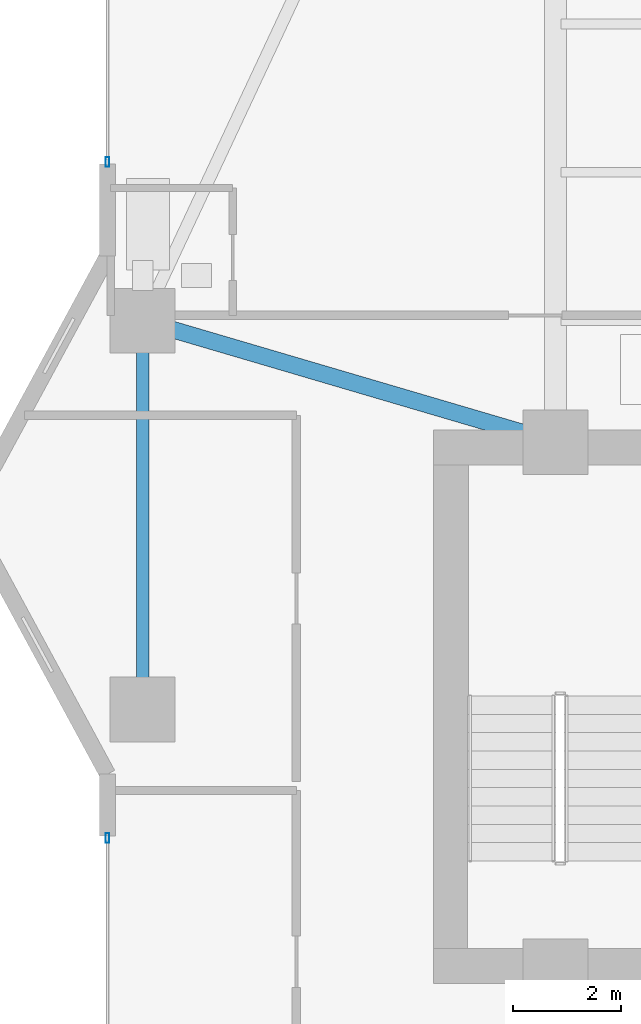
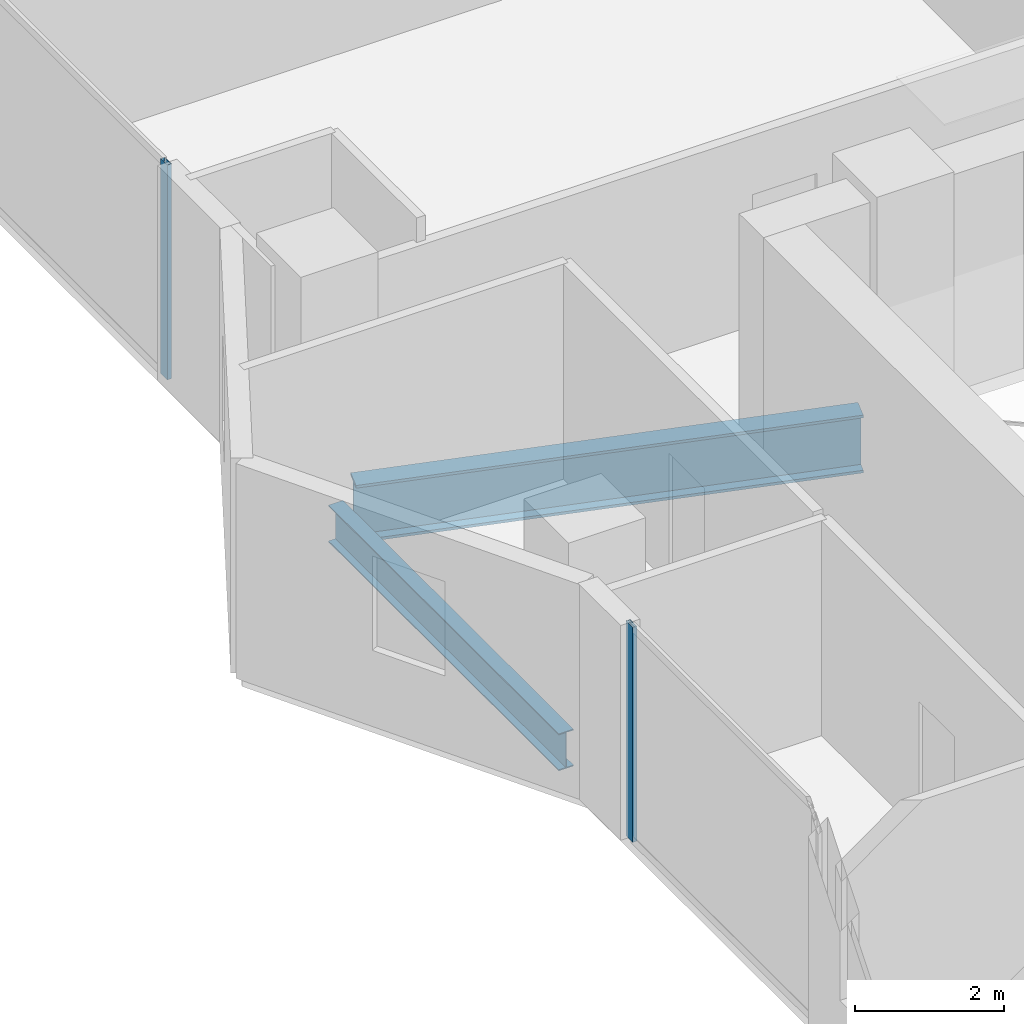
# One storey, part 9 of 33: 2 beams, 2 members, 2 elements without a shape of their own.
"""IFC4 building model written with IfcOpenShell, lengths in metres."""

from ifc_helpers import new_model, si_unit, direction, frame, origin, origin_2d, place, context, subcontext, project, spatial, hollow_rectangle, i_section, extrude, material, layer, layer_set, material_profile, profile_set, type_object, element, aggregate, save


model = new_model("IFC4")

# Units and contexts
model_context = context("Model", 3, precision=1e-05, world=origin(), true_north=direction((0.0, 1.0)))
body_context = subcontext(model_context, "Body", "Model", "MODEL_VIEW")
ifc_project = project(units=[si_unit("LENGTHUNIT", "METRE"), si_unit("AREAUNIT", "SQUARE_METRE"), si_unit("VOLUMEUNIT", "CUBIC_METRE"), si_unit("PLANEANGLEUNIT", "RADIAN"), si_unit("MASSUNIT", "GRAM", prefix="KILO")], contexts=[model_context])

# Site, building, storey
site_placement = place(None, origin())
site = spatial("IfcSite", under=ifc_project, at=site_placement, CompositionType="ELEMENT")
building_placement = place(site_placement, origin())
building = spatial("IfcBuilding", under=site, at=building_placement, Name="Zuhayl Quay Hotel", CompositionType="ELEMENT")
storey_placement = place(building_placement, frame((0.0, 0.0, 199.89990234375)))
storey = spatial("IfcBuildingStorey", under=building, at=storey_placement, Name="L50", CompositionType="ELEMENT", Elevation=199.89990234375)

# Beams
ifc_material_1 = material(Name="Steel ASTM A992 Grade 50", Category="steel")
ifc_material_profile_1 = material_profile(ifc_material_1, i_section(OverallWidth=0.22802734375, OverallDepth=0.60693359375, WebThickness=0.01123046875, FlangeThickness=0.017333984375, at=origin_2d()), Name="W24X76")
ifc_profile_set_1 = profile_set([ifc_material_profile_1], Name="Steel ASTM A992 Grade 50")
beam_type_1 = type_object("IfcBeamType", Name="BM_B3_W24X76", PredefinedType="BEAM", material=ifc_profile_set_1)
beam_1_placement = place(storey_placement, frame((-21.449951171875, 16.10009765625, -0.5234375), z_axis=(0.0, -1.0, 0.0), x_axis=(1.0, 0.0, 0.0)))
element("IfcBeam", 1, at=beam_1_placement, inside=storey, type_object=beam_type_1, Name="L50 Floor Beam RG_L50_11", PredefinedType="BEAM", context=body_context, shape_type="SweptSolid", body=[
    extrude(i_section(OverallWidth=0.22802734375, OverallDepth=0.60693359375, WebThickness=0.01123046875, FlangeThickness=0.017333984375, at=origin_2d()), origin(), (0.0, 0.0, 1.0), 6.2001953125),
])
ifc_material_profile_2 = material_profile(ifc_material_1, i_section(OverallWidth=0.31005859375, OverallDepth=0.949951171875, WebThickness=0.0244140625, FlangeThickness=0.0439453125, at=origin_2d()), Name="W36X256")
ifc_profile_set_2 = profile_set([ifc_material_profile_2], Name="Steel ASTM A992 Grade 50")
beam_type_2 = type_object("IfcBeamType", Name="BM_PG1_W36X256", PredefinedType="BEAM", material=ifc_profile_set_2)
beam_2_placement = place(storey_placement, frame((-20.97021484375, 16.458984375, -0.69482421875), z_axis=(0.959364948093, -0.282168205812, 0.0), x_axis=(0.282168205812, 0.959364948093, 0.0)))
element("IfcBeam", 2, at=beam_2_placement, inside=storey, type_object=beam_type_2, Name="L50 Floor Beam FG_W_L50_2", PredefinedType="BEAM", context=body_context, shape_type="SweptSolid", body=[
    extrude(i_section(OverallWidth=0.31005859375, OverallDepth=0.949951171875, WebThickness=0.0244140625, FlangeThickness=0.0439453125, at=origin_2d()), origin(), (0.0, 0.0, 1.0), 7.02392578125),
])

# Curtain wall, member
ifc_material_2 = material(Name="Anodised Aluminium 6063-T6", Category="aluminium")
ifc_layer = layer(ifc_material_2, 0.175048828125, Name="Anodised Aluminium 6063-T6", Category="aluminium")
ifc_layer_set = layer_set([ifc_layer], Name="Anodised Aluminium 6063-T6")
curtain_wall_type = type_object("IfcCurtainWallType", Name="CW_SYS_Z3", PredefinedType="USERDEFINED", material=ifc_layer_set)
curtain_wall_1_placement = place(storey_placement, origin())
curtain_wall_1 = element("IfcCurtainWall", 3, at=curtain_wall_1_placement, inside=storey, type_object=curtain_wall_type, Name="L50 Curtain Wall ENV_L50_E02_CW1", ObjectType="UNITISED CURTAIN WALL", PredefinedType="USERDEFINED")
ifc_material_3 = material(Name="Black-anodised aluminium 6063-T6", Category="aluminium")
ifc_material_profile_3 = material_profile(ifc_material_3, hollow_rectangle(XDim=0.06494140625, YDim=0.179931640625, WallThickness=0.00341796875, at=origin_2d()), Name="ALU180X65")
ifc_profile_set_3 = profile_set([ifc_material_profile_3], Name="Black-anodised aluminium 6063-T6")
member_type = type_object("IfcMemberType", Name="MB_CW_MUL_180", PredefinedType="MULLION", material=ifc_profile_set_3)
member_1_placement = place(storey_placement, frame((-22.10009765625, 7.017578125, 0.0), z_axis=(0.0, 0.0, 1.0), x_axis=(-1.0, 0.0, 0.0)))
member_1 = element("IfcMember", 4, at=member_1_placement, type_object=member_type, Name="CW-Z3 mullion 2", PredefinedType="MULLION", context=body_context, shape_type="SweptSolid", body=[
    extrude(hollow_rectangle(XDim=0.06494140625, YDim=0.179931640625, WallThickness=0.00341796875, at=origin_2d()), origin(), (0.0, 0.0, 1.0), 3.530029296875),
])
aggregate(curtain_wall_1, [member_1])

curtain_wall_2_placement = place(storey_placement, origin())
curtain_wall_2 = element("IfcCurtainWall", 5, at=curtain_wall_2_placement, inside=storey, type_object=curtain_wall_type, Name="L50 Curtain Wall ENV_L50_E05_CW1", ObjectType="UNITISED CURTAIN WALL", PredefinedType="USERDEFINED")
member_2_placement = place(storey_placement, frame((-22.10009765625, 19.54248046875, 0.0), z_axis=(0.0, 0.0, 1.0), x_axis=(-1.0, 0.0, 0.0)))
member_2 = element("IfcMember", 6, at=member_2_placement, type_object=member_type, Name="CW-Z3 mullion 1", PredefinedType="MULLION", context=body_context, shape_type="SweptSolid", body=[
    extrude(hollow_rectangle(XDim=0.06494140625, YDim=0.179931640625, WallThickness=0.00341796875, at=origin_2d()), origin(), (0.0, 0.0, 1.0), 3.530029296875),
])
aggregate(curtain_wall_2, [member_2])

save(model, "model.ifc")
